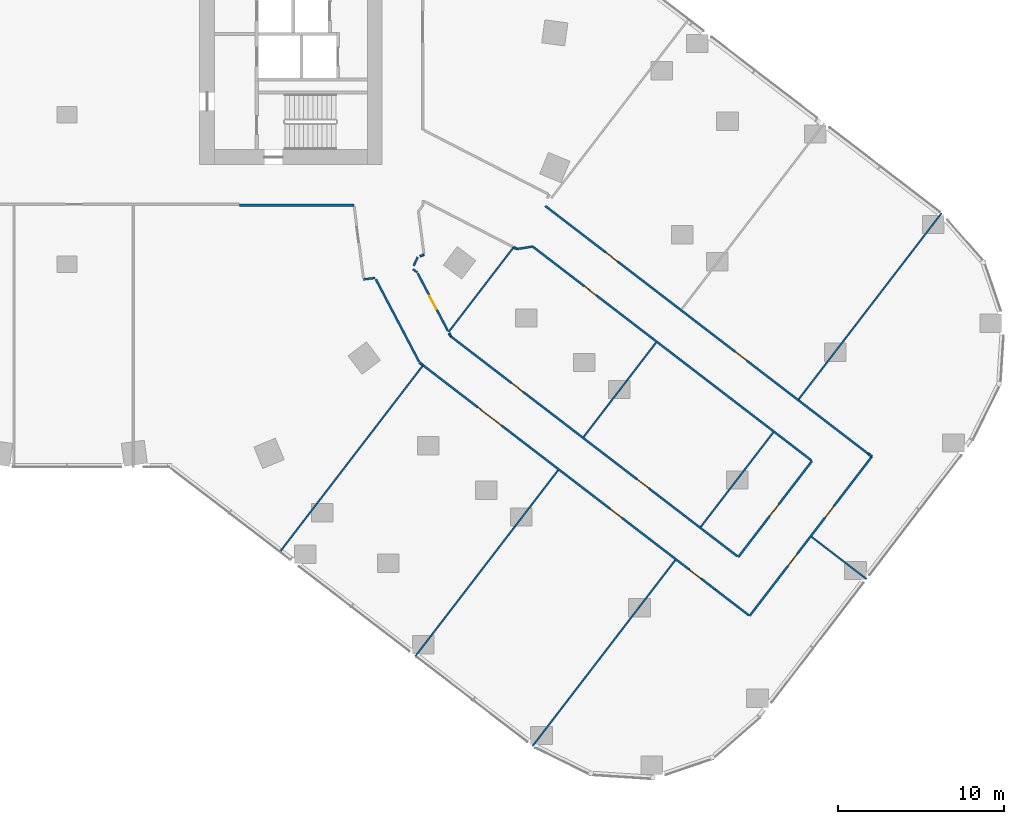
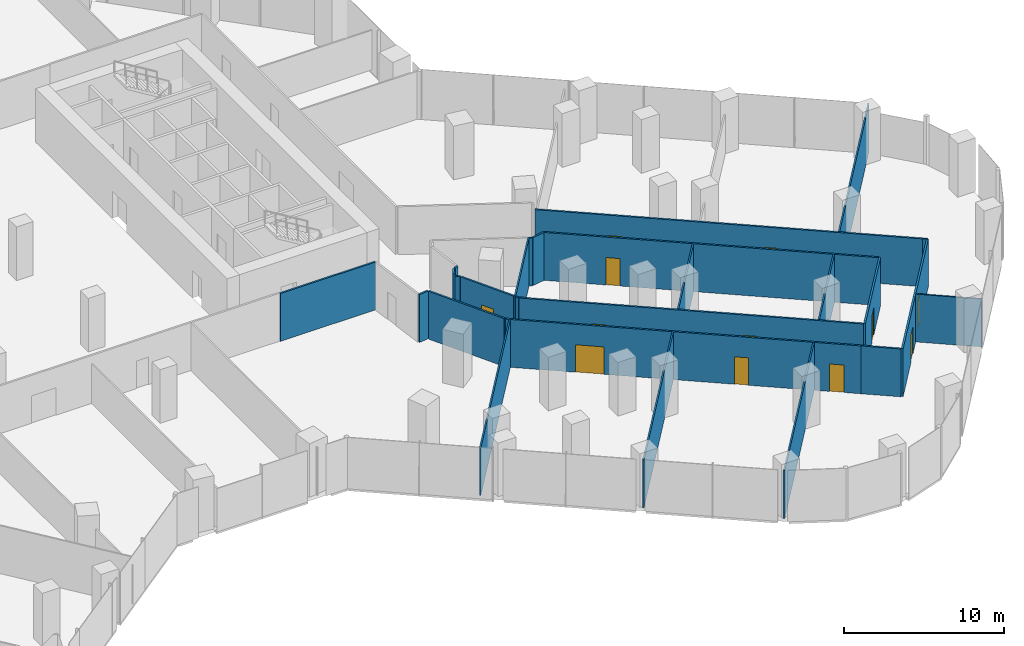
# One storey, part 24 of 29: 27 walls, 12 doors, 12 openings.
"""IFC4 building model written with IfcOpenShell, lengths in metres."""

from ifc_helpers import new_model, si_unit, direction, frame, frame_2d, origin, place, context, subcontext, project, spatial, rectangle, extrude, material, layer, layer_set, type_object, element, fill, save


model = new_model("IFC4")

# Units and contexts
model_context = context("Model", 3, precision=1e-05, world=origin(), true_north=direction((0.0, 1.0)))
body_context = subcontext(model_context, "Body", "Model", "MODEL_VIEW")
ifc_project = project(units=[si_unit("LENGTHUNIT", "METRE"), si_unit("AREAUNIT", "SQUARE_METRE"), si_unit("VOLUMEUNIT", "CUBIC_METRE"), si_unit("PLANEANGLEUNIT", "RADIAN"), si_unit("MASSUNIT", "GRAM", prefix="KILO")], contexts=[model_context])

# Site, building, storey
site_placement = place(None, origin())
site = spatial("IfcSite", under=ifc_project, at=site_placement, CompositionType="ELEMENT")
building_placement = place(site_placement, origin())
building = spatial("IfcBuilding", under=site, at=building_placement, Name="Orlundy Tower", CompositionType="ELEMENT")
storey_placement = place(building_placement, frame((0.0, 0.0, 29.199951171875)))
storey = spatial("IfcBuildingStorey", under=building, at=storey_placement, Name="L05", CompositionType="ELEMENT", Elevation=29.199951171875)

# Walls
ifc_material_1 = material(Name="Gypsum board partition")
ifc_layer_1 = layer(ifc_material_1, 0.10009765625)
ifc_layer_set_1 = layer_set([ifc_layer_1], Name="Floor partition 100")
wall_type_1 = type_object("IfcWallType", Name="Floor partition 100", PredefinedType="PARTITIONING", material=ifc_layer_set_1)
wall_1_placement = place(storey_placement, frame((44.875, -34.43310546875, 0.0), z_axis=(0.0, 0.0, 1.0), x_axis=(0.793295570217, -0.60883670904, 0.0)))
element("IfcWall", 1, at=wall_1_placement, inside=storey, type_object=wall_type_1, Name="wall-int-L05-030", PredefinedType="PARTITIONING", context=body_context, shape_type="SweptSolid", body=[
    extrude(rectangle(XDim=4.186279296875, YDim=0.10009765625, at=frame_2d((2.09326171875, 0.0))), origin(), (0.0, 0.0, 1.0), 3.66015625),
])
wall_2_placement = place(storey_placement, frame((28.053955078125, -47.051025390625, 0.0), z_axis=(0.0, 0.0, 1.0), x_axis=(0.608819037892, 0.793309132117, 0.0)))
element("IfcWall", 2, at=wall_2_placement, inside=storey, type_object=wall_type_1, Name="wall-int-L05-076", PredefinedType="PARTITIONING", context=body_context, shape_type="SweptSolid", body=[
    extrude(rectangle(XDim=14.13720703125, YDim=0.10009765625, at=frame_2d((7.068603515625, 0.0))), origin(), (0.0, 0.0, 1.0), 3.66015625),
])
wall_3_placement = place(storey_placement, frame((38.197998046875, -33.8310546875, 0.0), z_axis=(0.0, 0.0, 1.0), x_axis=(0.60875801413, 0.793355960608, 0.0)))
element("IfcWall", 3, at=wall_3_placement, inside=storey, type_object=wall_type_1, Name="wall-int-L05-077", PredefinedType="PARTITIONING", context=body_context, shape_type="SweptSolid", body=[
    extrude(rectangle(XDim=7.173583984375, YDim=0.10009765625, at=frame_2d((3.5869140625, 0.0))), origin(), (0.0, 0.0, 1.0), 3.66015625),
])
wall_4_placement = place(storey_placement, frame((44.10302734375, -26.135986328125, 0.0), z_axis=(0.0, 0.0, 1.0), x_axis=(0.608732079898, 0.793375859793, 0.0)))
element("IfcWall", 4, at=wall_4_placement, inside=storey, type_object=wall_type_1, Name="wall-int-L05-078", PredefinedType="PARTITIONING", context=body_context, shape_type="SweptSolid", body=[
    extrude(rectangle(XDim=14.135986328125, YDim=0.10009765625, at=frame_2d((7.06787109375, 0.0))), origin(), (0.0, 0.0, 1.0), 3.66015625),
])
wall_5_placement = place(storey_placement, frame((20.992919921875, -41.633056640625, 0.0), z_axis=(0.0, 0.0, 1.0), x_axis=(0.608829906099, 0.793300791277, 0.0)))
element("IfcWall", 5, at=wall_5_placement, inside=storey, type_object=wall_type_1, Name="wall-int-L05-079", PredefinedType="PARTITIONING", context=body_context, shape_type="SweptSolid", body=[
    extrude(rectangle(XDim=14.13720703125, YDim=0.10009765625, at=frame_2d((7.068603515625, 0.0))), origin(), (0.0, 0.0, 1.0), 3.66015625),
])
wall_6_placement = place(storey_placement, frame((31.136962890625, -28.4130859375, 0.0), z_axis=(0.0, 0.0, 1.0), x_axis=(0.608843688194, 0.793290213822, 0.0)))
element("IfcWall", 6, at=wall_6_placement, inside=storey, type_object=wall_type_1, Name="wall-int-L05-080", PredefinedType="PARTITIONING", context=body_context, shape_type="SweptSolid", body=[
    extrude(rectangle(XDim=7.174072265625, YDim=0.10009765625, at=frame_2d((3.5869140625, 0.0))), origin(), (0.0, 0.0, 1.0), 3.66015625),
])
wall_7_placement = place(storey_placement, frame((12.81689453125, -35.35888671875, 0.0), z_axis=(0.0, 0.0, 1.0), x_axis=(0.608769712687, 0.793346983932, 0.0)))
element("IfcWall", 7, at=wall_7_placement, inside=storey, type_object=wall_type_1, Name="wall-int-L05-082", PredefinedType="PARTITIONING", context=body_context, shape_type="SweptSolid", body=[
    extrude(rectangle(XDim=14.19921875, YDim=0.10009765625, at=frame_2d((7.099609375, 0.0))), origin(), (0.0, 0.0, 1.0), 3.66015625),
])
wall_8_placement = place(storey_placement, frame((22.9970703125, -22.092041015625, 0.0), z_axis=(0.0, 0.0, 1.0), x_axis=(0.608732859409, 0.793375261699, 0.0)))
element("IfcWall", 8, at=wall_8_placement, inside=storey, type_object=wall_type_1, Name="wall-int-L05-083", PredefinedType="PARTITIONING", context=body_context, shape_type="SweptSolid", body=[
    extrude(rectangle(XDim=6.44580078125, YDim=0.10009765625, at=frame_2d((3.222900390625, 0.0))), origin(), (0.0, 0.0, 1.0), 3.66015625),
])
ifc_material_2 = material(Name="Gypsum board partition, double layer")
ifc_layer_2 = layer(ifc_material_2, 0.125)
ifc_layer_set_2 = layer_set([ifc_layer_2], Name="Floor partition 125")
wall_type_2 = type_object("IfcWallType", Name="Floor partition 125", PredefinedType="PARTITIONING", material=ifc_layer_set_2)
wall_9_placement = place(storey_placement, frame((23.035888671875, -22.1669921875, 0.0), z_axis=(0.0, 0.0, 1.0), x_axis=(0.465065214543, -0.885276423623, 0.0)))
element("IfcWall", 9, at=wall_9_placement, inside=storey, type_object=wall_type_2, Name="wall-int-L05-008", PredefinedType="PARTITIONING", context=body_context, shape_type="SweptSolid", body=[
    extrude(rectangle(XDim=0.206787109375, YDim=0.125, at=frame_2d((0.103515625, 0.0))), origin(), (0.0, 0.0, 1.0), 3.66015625),
])
wall_10_placement = place(storey_placement, frame((18.614990234375, -18.908935546875, 0.0), z_axis=(0.0, 0.0, 1.0), x_axis=(0.464655649815, -0.885491460769, 0.0)))
element("IfcWall", 10, at=wall_10_placement, inside=storey, type_object=wall_type_2, Name="wall-int-L05-009", PredefinedType="PARTITIONING", context=body_context, shape_type="SweptSolid", body=[
    extrude(rectangle(XDim=5.6103515625, YDim=0.125, at=frame_2d((2.80517578125, 0.0))), origin(), (0.0, 0.0, 1.0), 3.66015625),
])

# Wall, opening, door
wall_11_placement = place(storey_placement, frame((21.139892578125, -18.552001953125, 0.0), z_axis=(0.0, 0.0, 1.0), x_axis=(0.464519693812, -0.885562789451, 0.0)))
wall_11 = element("IfcWall", 11, at=wall_11_placement, inside=storey, type_object=wall_type_2, Name="wall-int-L05-010", PredefinedType="PARTITIONING", context=body_context, shape_type="SweptSolid", body=[
    extrude(rectangle(XDim=3.9140625, YDim=0.125, at=frame_2d((1.95703125, 0.0))), origin(), (0.0, 0.0, 1.0), 3.66015625),
])
opening_1_placement = place(wall_11_placement, frame((1.53759765625, 0.0, 0.0)))
opening_1 = element("IfcOpeningElement", 12, at=opening_1_placement, cuts=wall_11, Name="Opening 06130", PredefinedType="OPENING", context=body_context, shape_type="SweptSolid", body=[
    extrude(rectangle(XDim=0.89990234375, YDim=2.10009765625, at=frame_2d((0.449951171875, 1.050048828125))), frame((0.0, 0.072509765625, 0.0), z_axis=(0.0, -1.0, 0.0), x_axis=(1.0, 0.0, 0.0)), (0.0, 0.0, 1.0), 0.14501953125),
])
ifc_material_3 = material(Name="Timber door leaf", Category="wood")
door_type_1 = type_object("IfcDoorType", Name="Floor door single 900 FD30S", OperationType="NOTDEFINED", PredefinedType="DOOR", material=ifc_material_3)
door_1_placement = place(opening_1_placement, origin())
door_1 = element("IfcDoor", 13, at=door_1_placement, inside=storey, type_object=door_type_1, Name="Door 06130", OperationType="SINGLE_SWING_RIGHT", OverallHeight=2.10009765625, OverallWidth=0.89990234375, PredefinedType="DOOR", context=body_context, shape_type="SweptSolid", body=[
    extrude(rectangle(XDim=0.89990234375, YDim=2.10009765625, at=frame_2d((0.449951171875, 1.050048828125))), frame((0.0, 0.02490234375, 0.0), z_axis=(0.0, -1.0, 0.0), x_axis=(1.0, 0.0, 0.0)), (0.0, 0.0, 1.0), 0.050048828125),
])
fill(opening_1, door_1)

# Wall
wall_12_placement = place(storey_placement, frame((48.27001953125, -29.412109375, 0.0), z_axis=(0.0, 0.0, 1.0), x_axis=(0.793016893484, -0.609199644328, 0.0)))
element("IfcWall", 14, at=wall_12_placement, inside=storey, type_object=wall_type_2, Name="wall-int-L05-026", PredefinedType="PARTITIONING", context=body_context, shape_type="SweptSolid", body=[
    extrude(rectangle(XDim=0.300048828125, YDim=0.125, at=frame_2d((0.14990234375, 0.0))), origin(), (0.0, 0.0, 1.0), 3.66015625),
])

# Wall, openings, doors
wall_13_placement = place(storey_placement, frame((39.090087890625, -37.6201171875, 0.0), z_axis=(0.0, 0.0, 1.0), x_axis=(-0.793364364442, 0.608747061786, 0.0)))
wall_13 = element("IfcWall", 15, at=wall_13_placement, inside=storey, type_object=wall_type_2, Name="wall-int-L05-027", PredefinedType="PARTITIONING", context=body_context, shape_type="SweptSolid", body=[
    extrude(rectangle(XDim=22.170166015625, YDim=0.125, at=frame_2d((11.0849609375, 0.0))), origin(), (0.0, 0.0, 1.0), 3.66015625),
])
opening_2_placement = place(wall_13_placement, frame((1.100341796875, 0.0, 0.0)))
opening_2 = element("IfcOpeningElement", 16, at=opening_2_placement, cuts=wall_13, Name="Opening 06106", PredefinedType="OPENING", context=body_context, shape_type="SweptSolid", body=[
    extrude(rectangle(XDim=0.89990234375, YDim=2.10009765625, at=frame_2d((0.449951171875, 1.050048828125))), frame((0.0, 0.072509765625, 0.0), z_axis=(0.0, -1.0, 0.0), x_axis=(1.0, 0.0, 0.0)), (0.0, 0.0, 1.0), 0.14501953125),
])
opening_3_placement = place(wall_13_placement, frame((16.26318359375, 0.0, 0.0)))
opening_3 = element("IfcOpeningElement", 17, at=opening_3_placement, cuts=wall_13, Name="Opening 06109", PredefinedType="OPENING", context=body_context, shape_type="SweptSolid", body=[
    extrude(rectangle(XDim=1.800048828125, YDim=2.10009765625, at=frame_2d((0.89990234375, 1.050048828125))), frame((0.0, 0.072509765625, 0.0), z_axis=(0.0, -1.0, 0.0), x_axis=(1.0, 0.0, 0.0)), (0.0, 0.0, 1.0), 0.14501953125),
])
opening_4_placement = place(wall_13_placement, frame((7.11279296875, 0.0, 0.0)))
opening_4 = element("IfcOpeningElement", 18, at=opening_4_placement, cuts=wall_13, Name="Opening 06110", PredefinedType="OPENING", context=body_context, shape_type="SweptSolid", body=[
    extrude(rectangle(XDim=0.89990234375, YDim=2.10009765625, at=frame_2d((0.449951171875, 1.050048828125))), frame((0.0, 0.072509765625, 0.0), z_axis=(0.0, -1.0, 0.0), x_axis=(1.0, 0.0, 0.0)), (0.0, 0.0, 1.0), 0.14501953125),
])
ifc_material_4 = material(Name="Timber door leaf", Category="wood")
door_type_2 = type_object("IfcDoorType", Name="Floor door double 1800 FD30S", OperationType="NOTDEFINED", PredefinedType="DOOR", material=ifc_material_4)
door_2_placement = place(opening_3_placement, origin())
door_2 = element("IfcDoor", 19, at=door_2_placement, inside=storey, type_object=door_type_2, Name="Door 06109", OperationType="DOUBLE_DOOR_SINGLE_SWING", OverallHeight=2.10009765625, OverallWidth=1.800048828125, PredefinedType="DOOR", context=body_context, shape_type="SweptSolid", body=[
    extrude(rectangle(XDim=1.800048828125, YDim=2.10009765625, at=frame_2d((0.89990234375, 1.050048828125))), frame((0.0, 0.02490234375, 0.0), z_axis=(0.0, -1.0, 0.0), x_axis=(1.0, 0.0, 0.0)), (0.0, 0.0, 1.0), 0.050048828125),
])
fill(opening_3, door_2)
door_3_placement = place(opening_2_placement, origin())
door_3 = element("IfcDoor", 20, at=door_3_placement, inside=storey, type_object=door_type_1, Name="Door 06106", OperationType="SINGLE_SWING_LEFT", OverallHeight=2.10009765625, OverallWidth=0.89990234375, PredefinedType="DOOR", context=body_context, shape_type="SweptSolid", body=[
    extrude(rectangle(XDim=0.89990234375, YDim=2.10009765625, at=frame_2d((0.449951171875, 1.050048828125))), frame((0.0, 0.02490234375, 0.0), z_axis=(0.0, -1.0, 0.0), x_axis=(1.0, 0.0, 0.0)), (0.0, 0.0, 1.0), 0.050048828125),
])
fill(opening_2, door_3)
door_4_placement = place(opening_4_placement, origin())
door_4 = element("IfcDoor", 21, at=door_4_placement, inside=storey, type_object=door_type_1, Name="Door 06110", OperationType="SINGLE_SWING_LEFT", OverallHeight=2.10009765625, OverallWidth=0.89990234375, PredefinedType="DOOR", context=body_context, shape_type="SweptSolid", body=[
    extrude(rectangle(XDim=0.89990234375, YDim=2.10009765625, at=frame_2d((0.449951171875, 1.050048828125))), frame((0.0, 0.02490234375, 0.0), z_axis=(0.0, -1.0, 0.0), x_axis=(1.0, 0.0, 0.0)), (0.0, 0.0, 1.0), 0.050048828125),
])
fill(opening_4, door_4)

# Wall
wall_14_placement = place(storey_placement, frame((39.089111328125, -37.6201171875, 0.0), z_axis=(0.0, 0.0, 1.0), x_axis=(0.793216962218, -0.608939119166, 0.0)))
element("IfcWall", 22, at=wall_14_placement, inside=storey, type_object=wall_type_2, Name="wall-int-L05-028", PredefinedType="PARTITIONING", context=body_context, shape_type="SweptSolid", body=[
    extrude(rectangle(XDim=2.52392578125, YDim=0.125, at=frame_2d((1.261962890625, 0.0))), origin(), (0.0, 0.0, 1.0), 3.66015625),
])

# Wall, openings, doors
wall_15_placement = place(storey_placement, frame((23.132080078125, -22.35009765625, 0.0), z_axis=(0.0, 0.0, 1.0), x_axis=(0.79336850047, -0.60874167137, 0.0)))
wall_15 = element("IfcWall", 23, at=wall_15_placement, inside=storey, type_object=wall_type_2, Name="wall-int-L05-029", PredefinedType="PARTITIONING", context=body_context, shape_type="SweptSolid", body=[
    extrude(rectangle(XDim=21.779052734375, YDim=0.125, at=frame_2d((10.8896484375, 0.0))), origin(), (0.0, 0.0, 1.0), 3.66015625),
])
opening_5_placement = place(wall_15_placement, frame((4.60009765625, 0.0, 0.0)))
opening_5 = element("IfcOpeningElement", 24, at=opening_5_placement, cuts=wall_15, Name="Opening 06102", PredefinedType="OPENING", context=body_context, shape_type="SweptSolid", body=[
    extrude(rectangle(XDim=0.89990234375, YDim=2.10009765625, at=frame_2d((0.449951171875, 1.050048828125))), frame((0.0, 0.072509765625, 0.0), z_axis=(0.0, -1.0, 0.0), x_axis=(1.0, 0.0, 0.0)), (0.0, 0.0, 1.0), 0.14501953125),
])
opening_6_placement = place(wall_15_placement, frame((14.14208984375, 0.0, 0.0)))
opening_6 = element("IfcOpeningElement", 25, at=opening_6_placement, cuts=wall_15, Name="Opening 06104", PredefinedType="OPENING", context=body_context, shape_type="SweptSolid", body=[
    extrude(rectangle(XDim=0.89990234375, YDim=2.10009765625, at=frame_2d((0.449951171875, 1.050048828125))), frame((0.0, 0.072509765625, 0.0), z_axis=(0.0, -1.0, 0.0), x_axis=(1.0, 0.0, 0.0)), (0.0, 0.0, 1.0), 0.14501953125),
])
door_5_placement = place(opening_5_placement, origin())
door_5 = element("IfcDoor", 26, at=door_5_placement, inside=storey, type_object=door_type_1, Name="Door 06102", OperationType="SINGLE_SWING_LEFT", OverallHeight=2.10009765625, OverallWidth=0.89990234375, PredefinedType="DOOR", context=body_context, shape_type="SweptSolid", body=[
    extrude(rectangle(XDim=0.89990234375, YDim=2.10009765625, at=frame_2d((0.449951171875, 1.050048828125))), frame((0.0, 0.02490234375, 0.0), z_axis=(0.0, -1.0, 0.0), x_axis=(1.0, 0.0, 0.0)), (0.0, 0.0, 1.0), 0.050048828125),
])
fill(opening_5, door_5)
door_6_placement = place(opening_6_placement, origin())
door_6 = element("IfcDoor", 27, at=door_6_placement, inside=storey, type_object=door_type_1, Name="Door 06104", OperationType="SINGLE_SWING_RIGHT", OverallHeight=2.10009765625, OverallWidth=0.89990234375, PredefinedType="DOOR", context=body_context, shape_type="SweptSolid", body=[
    extrude(rectangle(XDim=0.89990234375, YDim=2.10009765625, at=frame_2d((0.449951171875, 1.050048828125))), frame((0.0, 0.02490234375, 0.0), z_axis=(0.0, -1.0, 0.0), x_axis=(1.0, 0.0, 0.0)), (0.0, 0.0, 1.0), 0.050048828125),
])
fill(opening_6, door_6)

# Wall, opening, door
wall_16_placement = place(storey_placement, frame((44.85498046875, -29.81689453125, 0.0), z_axis=(0.0, 0.0, 1.0), x_axis=(-0.793378264443, 0.608728945844, 0.0)))
wall_16 = element("IfcWall", 28, at=wall_16_placement, inside=storey, type_object=wall_type_2, Name="wall-int-L05-031", PredefinedType="PARTITIONING", context=body_context, shape_type="SweptSolid", body=[
    extrude(rectangle(XDim=21.16015625, YDim=0.125, at=frame_2d((10.580078125, 0.0))), origin(), (0.0, 0.0, 1.0), 3.66015625),
])
opening_7_placement = place(wall_16_placement, frame((16.3369140625, 0.0, 0.0)))
opening_7 = element("IfcOpeningElement", 29, at=opening_7_placement, cuts=wall_16, Name="Opening 06103", PredefinedType="OPENING", context=body_context, shape_type="SweptSolid", body=[
    extrude(rectangle(XDim=0.89990234375, YDim=2.10009765625, at=frame_2d((0.449951171875, 1.050048828125))), frame((0.0, 0.072509765625, 0.0), z_axis=(0.0, -1.0, 0.0), x_axis=(1.0, 0.0, 0.0)), (0.0, 0.0, 1.0), 0.14501953125),
])
door_7_placement = place(opening_7_placement, origin())
door_7 = element("IfcDoor", 30, at=door_7_placement, inside=storey, type_object=door_type_1, Name="Door 06103", OperationType="SINGLE_SWING_RIGHT", OverallHeight=2.10009765625, OverallWidth=0.89990234375, PredefinedType="DOOR", context=body_context, shape_type="SweptSolid", body=[
    extrude(rectangle(XDim=0.89990234375, YDim=2.10009765625, at=frame_2d((0.449951171875, 1.050048828125))), frame((0.0, 0.02490234375, 0.0), z_axis=(0.0, -1.0, 0.0), x_axis=(1.0, 0.0, 0.0)), (0.0, 0.0, 1.0), 0.050048828125),
])
fill(opening_7, door_7)

# Wall, openings, doors
wall_17_placement = place(storey_placement, frame((28.826904296875, -14.492919921875, 0.0), z_axis=(0.0, 0.0, 1.0), x_axis=(0.793315591759, -0.608810620695, 0.0)))
wall_17 = element("IfcWall", 31, at=wall_17_placement, inside=storey, type_object=wall_type_2, Name="wall-int-L05-032", PredefinedType="PARTITIONING", context=body_context, shape_type="SweptSolid", body=[
    extrude(rectangle(XDim=24.5087890625, YDim=0.125, at=frame_2d((12.25439453125, 0.0))), origin(), (0.0, 0.0, 1.0), 3.66015625),
])
opening_8_placement = place(wall_17_placement, frame((4.60009765625, 0.0, 0.0)))
opening_8 = element("IfcOpeningElement", 32, at=opening_8_placement, cuts=wall_17, Name="Opening 06100", PredefinedType="OPENING", context=body_context, shape_type="SweptSolid", body=[
    extrude(rectangle(XDim=0.89990234375, YDim=2.10009765625, at=frame_2d((0.449951171875, 1.050048828125))), frame((0.0, 0.072509765625, 0.0), z_axis=(0.0, -1.0, 0.0), x_axis=(1.0, 0.0, 0.0)), (0.0, 0.0, 1.0), 0.14501953125),
])
opening_9_placement = place(wall_17_placement, frame((14.4072265625, 0.0, 0.0)))
opening_9 = element("IfcOpeningElement", 33, at=opening_9_placement, cuts=wall_17, Name="Opening 06101", PredefinedType="OPENING", context=body_context, shape_type="SweptSolid", body=[
    extrude(rectangle(XDim=0.89990234375, YDim=2.10009765625, at=frame_2d((0.449951171875, 1.050048828125))), frame((0.0, 0.072509765625, 0.0), z_axis=(0.0, -1.0, 0.0), x_axis=(1.0, 0.0, 0.0)), (0.0, 0.0, 1.0), 0.14501953125),
])
door_8_placement = place(opening_8_placement, origin())
door_8 = element("IfcDoor", 34, at=door_8_placement, inside=storey, type_object=door_type_1, Name="Door 06100", OperationType="SINGLE_SWING_LEFT", OverallHeight=2.10009765625, OverallWidth=0.89990234375, PredefinedType="DOOR", context=body_context, shape_type="SweptSolid", body=[
    extrude(rectangle(XDim=0.89990234375, YDim=2.10009765625, at=frame_2d((0.449951171875, 1.050048828125))), frame((0.0, 0.02490234375, 0.0), z_axis=(0.0, -1.0, 0.0), x_axis=(1.0, 0.0, 0.0)), (0.0, 0.0, 1.0), 0.050048828125),
])
fill(opening_8, door_8)
door_9_placement = place(opening_9_placement, origin())
door_9 = element("IfcDoor", 35, at=door_9_placement, inside=storey, type_object=door_type_1, Name="Door 06101", OperationType="SINGLE_SWING_RIGHT", OverallHeight=2.10009765625, OverallWidth=0.89990234375, PredefinedType="DOOR", context=body_context, shape_type="SweptSolid", body=[
    extrude(rectangle(XDim=0.89990234375, YDim=2.10009765625, at=frame_2d((0.449951171875, 1.050048828125))), frame((0.0, 0.02490234375, 0.0), z_axis=(0.0, -1.0, 0.0), x_axis=(1.0, 0.0, 0.0)), (0.0, 0.0, 1.0), 0.050048828125),
])
fill(opening_9, door_9)

# Walls
wall_18_placement = place(storey_placement, frame((21.2509765625, -23.93310546875, 0.0), z_axis=(0.0, 0.0, 1.0), x_axis=(0.795537882178, -0.605903852124, 0.0)))
element("IfcWall", 36, at=wall_18_placement, inside=storey, type_object=wall_type_2, Name="wall-int-L05-033", PredefinedType="PARTITIONING", context=body_context, shape_type="SweptSolid", body=[
    extrude(rectangle(XDim=0.263916015625, YDim=0.125, at=frame_2d((0.1318359375, 0.0))), origin(), (0.0, 0.0, 1.0), 3.66015625),
])
wall_19_placement = place(storey_placement, frame((20.85791015625, -18.305908203125, 0.0), z_axis=(0.0, 0.0, 1.0), x_axis=(0.798056474533, -0.602582661098, 0.0)))
element("IfcWall", 37, at=wall_19_placement, inside=storey, type_object=wall_type_2, Name="wall-int-L05-034", PredefinedType="PARTITIONING", context=body_context, shape_type="SweptSolid", body=[
    extrude(rectangle(XDim=0.317138671875, YDim=0.125, at=frame_2d((0.15869140625, 0.0))), origin(), (0.0, 0.0, 1.0), 3.66015625),
])
wall_20_placement = place(storey_placement, frame((26.9208984375, -16.97802734375, 0.0), z_axis=(0.0, 0.0, 1.0), x_axis=(0.888809707019, -0.458276450093, 0.0)))
element("IfcWall", 38, at=wall_20_placement, inside=storey, type_object=wall_type_2, Name="wall-int-L05-035", PredefinedType="PARTITIONING", context=body_context, shape_type="SweptSolid", body=[
    extrude(rectangle(XDim=0.237548828125, YDim=0.125, at=frame_2d((0.11865234375, 0.0))), origin(), (0.0, 0.0, 1.0), 3.66015625),
])
wall_21_placement = place(storey_placement, frame((10.39111328125, -14.450927734375, 0.0), z_axis=(0.0, 0.0, 1.0), x_axis=(1.0, 0.0, 0.0)))
element("IfcWall", 39, at=wall_21_placement, inside=storey, type_object=wall_type_2, Name="wall-int-L05-040", PredefinedType="PARTITIONING", context=body_context, shape_type="SweptSolid", body=[
    extrude(rectangle(XDim=6.910888671875, YDim=0.125, at=frame_2d((3.45556640625, 0.0))), origin(), (0.0, 0.0, 1.0), 3.66015625),
])
wall_22_placement = place(storey_placement, frame((17.8798828125, -18.91796875, 0.0), z_axis=(0.0, 0.0, 1.0), x_axis=(0.991880534709, 0.127173129494, 0.0)))
element("IfcWall", 40, at=wall_22_placement, inside=storey, type_object=wall_type_2, Name="wall-int-L05-052", PredefinedType="PARTITIONING", context=body_context, shape_type="SweptSolid", body=[
    extrude(rectangle(XDim=0.69873046875, YDim=0.125, at=frame_2d((0.349365234375, 0.0))), origin(), (0.0, 0.0, 1.0), 3.66015625),
])
wall_23_placement = place(storey_placement, frame((21.281005859375, -17.51904296875, 0.0), z_axis=(0.0, 0.0, 1.0), x_axis=(0.939031864477, 0.343830128839, 0.0)))
element("IfcWall", 41, at=wall_23_placement, inside=storey, type_object=wall_type_2, Name="wall-int-L05-058", PredefinedType="PARTITIONING", context=body_context, shape_type="SweptSolid", body=[
    extrude(rectangle(XDim=0.25341796875, YDim=0.125, at=frame_2d((0.126708984375, 0.0))), origin(), (0.0, 0.0, 1.0), 3.66015625),
])

# Wall, openings, doors
wall_24_placement = place(storey_placement, frame((48.508056640625, -29.594970703125, 0.0), z_axis=(0.0, 0.0, 1.0), x_axis=(-0.608738166201, -0.793371189929, 0.0)))
wall_24 = element("IfcWall", 42, at=wall_24_placement, inside=storey, type_object=wall_type_2, Name="wall-int-L05-074", PredefinedType="PARTITIONING", context=body_context, shape_type="SweptSolid", body=[
    extrude(rectangle(XDim=12.100341796875, YDim=0.125, at=frame_2d((6.05029296875, 0.0))), origin(), (0.0, 0.0, 1.0), 3.66015625),
])
opening_10_placement = place(wall_24_placement, frame((7.400146484375, 0.0, 0.0)))
opening_10 = element("IfcOpeningElement", 43, at=opening_10_placement, cuts=wall_24, Name="Opening 06107", PredefinedType="OPENING", context=body_context, shape_type="SweptSolid", body=[
    extrude(rectangle(XDim=0.89990234375, YDim=2.10009765625, at=frame_2d((0.449951171875, 1.050048828125))), frame((0.0, 0.072509765625, 0.0), z_axis=(0.0, -1.0, 0.0), x_axis=(1.0, 0.0, 0.0)), (0.0, 0.0, 1.0), 0.14501953125),
])
opening_11_placement = place(wall_24_placement, frame((3.75, 0.0, 0.0)))
opening_11 = element("IfcOpeningElement", 44, at=opening_11_placement, cuts=wall_24, Name="Opening 06108", PredefinedType="OPENING", context=body_context, shape_type="SweptSolid", body=[
    extrude(rectangle(XDim=0.89990234375, YDim=2.10009765625, at=frame_2d((0.449951171875, 1.050048828125))), frame((0.0, 0.072509765625, 0.0), z_axis=(0.0, -1.0, 0.0), x_axis=(1.0, 0.0, 0.0)), (0.0, 0.0, 1.0), 0.14501953125),
])
door_10_placement = place(opening_10_placement, origin())
door_10 = element("IfcDoor", 45, at=door_10_placement, inside=storey, type_object=door_type_1, Name="Door 06107", OperationType="SINGLE_SWING_RIGHT", OverallHeight=2.10009765625, OverallWidth=0.89990234375, PredefinedType="DOOR", context=body_context, shape_type="SweptSolid", body=[
    extrude(rectangle(XDim=0.89990234375, YDim=2.10009765625, at=frame_2d((0.449951171875, 1.050048828125))), frame((0.0, 0.02490234375, 0.0), z_axis=(0.0, -1.0, 0.0), x_axis=(1.0, 0.0, 0.0)), (0.0, 0.0, 1.0), 0.050048828125),
])
fill(opening_10, door_10)
door_11_placement = place(opening_11_placement, origin())
door_11 = element("IfcDoor", 46, at=door_11_placement, inside=storey, type_object=door_type_1, Name="Door 06108", OperationType="SINGLE_SWING_LEFT", OverallHeight=2.10009765625, OverallWidth=0.89990234375, PredefinedType="DOOR", context=body_context, shape_type="SweptSolid", body=[
    extrude(rectangle(XDim=0.89990234375, YDim=2.10009765625, at=frame_2d((0.449951171875, 1.050048828125))), frame((0.0, 0.02490234375, 0.0), z_axis=(0.0, -1.0, 0.0), x_axis=(1.0, 0.0, 0.0)), (0.0, 0.0, 1.0), 0.050048828125),
])
fill(opening_11, door_11)

# Wall, opening, door
wall_25_placement = place(storey_placement, frame((40.4599609375, -35.64599609375, 0.0), z_axis=(0.0, 0.0, 1.0), x_axis=(0.608868228501, 0.793271378736, 0.0)))
wall_25 = element("IfcWall", 47, at=wall_25_placement, inside=storey, type_object=wall_type_2, Name="wall-int-L05-075", PredefinedType="PARTITIONING", context=body_context, shape_type="SweptSolid", body=[
    extrude(rectangle(XDim=7.298828125, YDim=0.125, at=frame_2d((3.6494140625, 0.0))), origin(), (0.0, 0.0, 1.0), 3.66015625),
])
opening_12_placement = place(wall_25_placement, frame((3.10009765625, 0.0, 0.0)))
opening_12 = element("IfcOpeningElement", 48, at=opening_12_placement, cuts=wall_25, Name="Opening 06105", PredefinedType="OPENING", context=body_context, shape_type="SweptSolid", body=[
    extrude(rectangle(XDim=0.89990234375, YDim=2.10009765625, at=frame_2d((0.449951171875, 1.050048828125))), frame((0.0, 0.072509765625, 0.0), z_axis=(0.0, -1.0, 0.0), x_axis=(1.0, 0.0, 0.0)), (0.0, 0.0, 1.0), 0.14501953125),
])
door_12_placement = place(opening_12_placement, origin())
door_12 = element("IfcDoor", 49, at=door_12_placement, inside=storey, type_object=door_type_1, Name="Door 06105", OperationType="SINGLE_SWING_LEFT", OverallHeight=2.10009765625, OverallWidth=0.89990234375, PredefinedType="DOOR", context=body_context, shape_type="SweptSolid", body=[
    extrude(rectangle(XDim=0.89990234375, YDim=2.10009765625, at=frame_2d((0.449951171875, 1.050048828125))), frame((0.0, 0.02490234375, 0.0), z_axis=(0.0, -1.0, 0.0), x_axis=(1.0, 0.0, 0.0)), (0.0, 0.0, 1.0), 0.050048828125),
])
fill(opening_12, door_12)

# Walls
wall_26_placement = place(storey_placement, frame((27.132080078125, -17.0869140625, 0.0), z_axis=(0.0, 0.0, 1.0), x_axis=(0.987224118301, 0.159337817997, 0.0)))
element("IfcWall", 50, at=wall_26_placement, inside=storey, type_object=wall_type_2, Name="wall-int-L05-086", PredefinedType="PARTITIONING", context=body_context, shape_type="SweptSolid", body=[
    extrude(rectangle(XDim=0.947021484375, YDim=0.125, at=frame_2d((0.4736328125, 0.0))), origin(), (0.0, 0.0, 1.0), 3.66015625),
])
wall_27_placement = place(storey_placement, frame((20.89892578125, -18.093994140625, 0.0), z_axis=(0.0, 0.0, 1.0), x_axis=(0.417849700766, 0.908516168029, 0.0)))
element("IfcWall", 51, at=wall_27_placement, inside=storey, type_object=wall_type_2, Name="wall-int-L05-087", PredefinedType="PARTITIONING", context=body_context, shape_type="SweptSolid", body=[
    extrude(rectangle(XDim=0.57666015625, YDim=0.125, at=frame_2d((0.288330078125, 0.0))), origin(), (0.0, 0.0, 1.0), 3.66015625),
])

save(model, "model.ifc")
